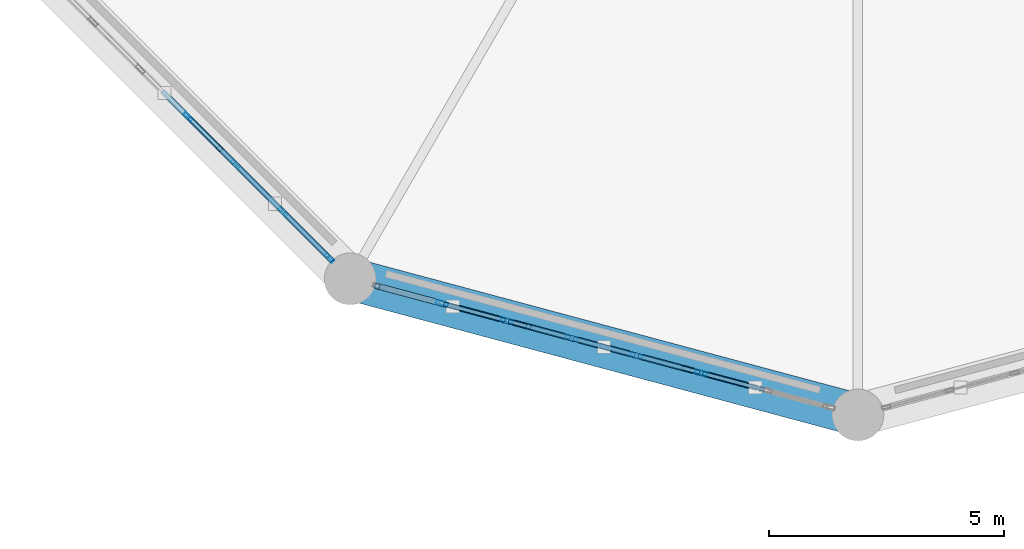
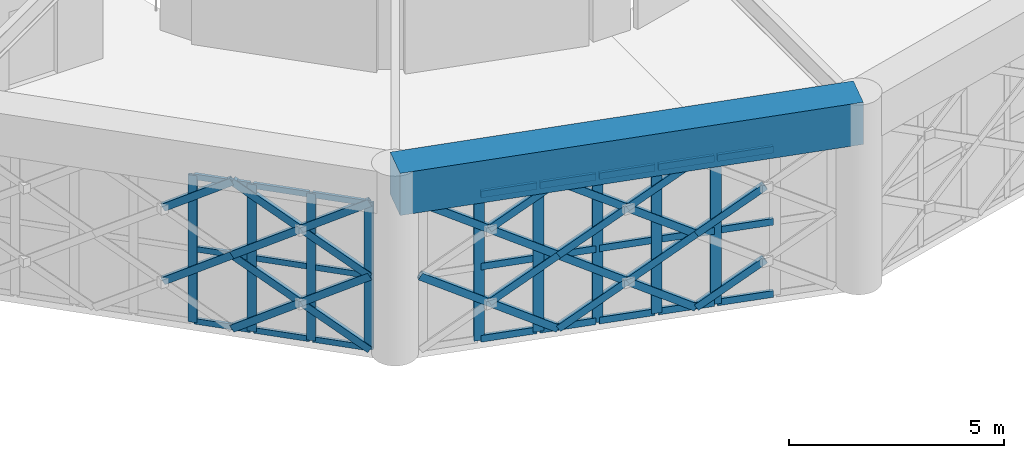
# One storey, part 20 of 72: 53 members, 1 beam, 2 elements without a shape of their own.
"""IFC4 building model written with IfcOpenShell, lengths in metres."""

from ifc_helpers import new_model, si_unit, direction, frame, origin, origin_2d, place, context, subcontext, project, spatial, rectangle, hollow_rectangle, extrude, material, material_profile, profile_set, type_object, element, aggregate, save


model = new_model("IFC4")

# Units and contexts
model_context = context("Model", 3, precision=1e-05, world=origin(), true_north=direction((0.0, 1.0)))
body_context = subcontext(model_context, "Body", "Model", "MODEL_VIEW")
ifc_project = project(units=[si_unit("LENGTHUNIT", "METRE"), si_unit("AREAUNIT", "SQUARE_METRE"), si_unit("VOLUMEUNIT", "CUBIC_METRE"), si_unit("PLANEANGLEUNIT", "RADIAN"), si_unit("MASSUNIT", "GRAM", prefix="KILO")], contexts=[model_context])

# Site, building, storey
site_placement = place(None, origin())
site = spatial("IfcSite", under=ifc_project, at=site_placement, CompositionType="ELEMENT")
building_placement = place(site_placement, origin())
building = spatial("IfcBuilding", under=site, at=building_placement, Name="Haizhuo Lancet Aquarium", CompositionType="ELEMENT")
storey_placement = place(building_placement, frame((0.0, 0.0, 21.60009765625)))
storey = spatial("IfcBuildingStorey", under=building, at=storey_placement, Name="L04", CompositionType="ELEMENT", Elevation=21.60009765625)

# Beam
ifc_material_1 = material(Name="Concrete C50/60", Category="concrete")
ifc_material_profile_1 = material_profile(ifc_material_1, rectangle(XDim=0.89990234375, YDim=1.199951171875, at=origin_2d()), Name="RC-RB 900x1200")
ifc_profile_set_1 = profile_set([ifc_material_profile_1], Name="Concrete C50/60")
beam_type = type_object("IfcBeamType", Name="BM-RB-900x1200", PredefinedType="USERDEFINED", material=ifc_profile_set_1)
beam_placement = place(storey_placement, frame((-10.800048828125, -18.7060546875, 4.7998046875), z_axis=(0.965921832664, -0.258833949056, 0.0), x_axis=(0.258833949056, 0.965921832664, 0.0)))
element("IfcBeam", 1, at=beam_placement, inside=storey, type_object=beam_type, Name="Ocean Hall dome tension ring beam RB-1 seg 9", ObjectType="RING BEAM", PredefinedType="USERDEFINED", context=body_context, shape_type="SweptSolid", body=[
    extrude(rectangle(XDim=0.89990234375, YDim=1.199951171875, at=origin_2d()), origin(), (0.0, 0.0, 1.0), 11.18115234375),
])

# Curtain wall, members
ifc_material_2 = material(Name="Aluminium 6063-T6", Category="aluminium")
curtain_wall_type = type_object("IfcCurtainWallType", Name="CWO-9990x4180", PredefinedType="NOTDEFINED", material=ifc_material_2)
curtain_wall_1_placement = place(storey_placement, origin())
curtain_wall_1 = element("IfcCurtainWall", 2, at=curtain_wall_1_placement, inside=storey, type_object=curtain_wall_type, Name="L04 curtain wall CW-V1-L04-08", PredefinedType="NOTDEFINED")
ifc_material_profile_2 = material_profile(ifc_material_2, hollow_rectangle(XDim=0.074951171875, YDim=0.219970703125, WallThickness=0.0048828125, at=origin_2d()), Name="ALU-M 75x220x5")
ifc_profile_set_2 = profile_set([ifc_material_profile_2], Name="Aluminium 6063-T6")
member_type_1 = type_object("IfcMemberType", Name="CW-MUL-2", PredefinedType="MULLION", material=ifc_profile_set_2)
member_1_placement = place(storey_placement, frame((-11.248046875, -18.258056640625, 0.0), z_axis=(0.0, 0.0, 1.0), x_axis=(-0.707106781187, -0.707106781187, 0.0)))
member_1 = element("IfcMember", 3, at=member_1_placement, type_object=member_type_1, Name="CWO-99x41 mullion 1", PredefinedType="MULLION", context=body_context, shape_type="SweptSolid", body=[
    extrude(hollow_rectangle(XDim=0.074951171875, YDim=0.219970703125, WallThickness=0.0048828125, at=origin_2d()), origin(), (0.0, 0.0, 1.0), 4.184814453125),
])
member_2_placement = place(storey_placement, frame((-12.22998046875, -17.27587890625, 0.0), z_axis=(0.0, 0.0, 1.0), x_axis=(-0.707106781187, -0.707106781187, 0.0)))
member_2 = element("IfcMember", 4, at=member_2_placement, type_object=member_type_1, Name="CWO-99x41 mullion 2", PredefinedType="MULLION", context=body_context, shape_type="SweptSolid", body=[
    extrude(hollow_rectangle(XDim=0.074951171875, YDim=0.219970703125, WallThickness=0.0048828125, at=origin_2d()), origin(), (0.0, 0.0, 1.0), 4.184814453125),
])
member_3_placement = place(storey_placement, frame((-13.239013671875, -16.26708984375, 0.0), z_axis=(0.0, 0.0, 1.0), x_axis=(-0.707106781187, -0.707106781187, 0.0)))
member_3 = element("IfcMember", 5, at=member_3_placement, type_object=member_type_1, Name="CWO-99x41 mullion 3", PredefinedType="MULLION", context=body_context, shape_type="SweptSolid", body=[
    extrude(hollow_rectangle(XDim=0.074951171875, YDim=0.219970703125, WallThickness=0.0048828125, at=origin_2d()), origin(), (0.0, 0.0, 1.0), 4.184814453125),
])
member_4_placement = place(storey_placement, frame((-14.248046875, -15.258056640625, 0.0), z_axis=(0.0, 0.0, 1.0), x_axis=(-0.707106781187, -0.707106781187, 0.0)))
member_4 = element("IfcMember", 6, at=member_4_placement, type_object=member_type_1, Name="CWO-99x41 mullion 4", PredefinedType="MULLION", context=body_context, shape_type="SweptSolid", body=[
    extrude(hollow_rectangle(XDim=0.074951171875, YDim=0.219970703125, WallThickness=0.0048828125, at=origin_2d()), origin(), (0.0, 0.0, 1.0), 4.184814453125),
])

curtain_wall_2_placement = place(storey_placement, origin())
curtain_wall_2 = element("IfcCurtainWall", 7, at=curtain_wall_2_placement, inside=storey, type_object=curtain_wall_type, Name="L04 curtain wall CW-V1-L04-09", PredefinedType="NOTDEFINED")
ifc_material_profile_3 = material_profile(ifc_material_2, hollow_rectangle(XDim=0.080078125, YDim=0.260009765625, WallThickness=0.0048828125, at=origin_2d()), Name="ALU-M 80x260x5")
ifc_profile_set_3 = profile_set([ifc_material_profile_3], Name="Aluminium 6063-T6")
member_type_2 = type_object("IfcMemberType", Name="CW-MUL-3", PredefinedType="MULLION", material=ifc_profile_set_3)
member_5_placement = place(storey_placement, frame((-3.33203125, -20.70703125, 0.0), z_axis=(0.0, 0.0, 1.0), x_axis=(-0.258852762117, -0.965916791212, 0.0)))
member_5 = element("IfcMember", 8, at=member_5_placement, type_object=member_type_2, Name="CWO-99x41 mullion 3", PredefinedType="MULLION", context=body_context, shape_type="SweptSolid", body=[
    extrude(hollow_rectangle(XDim=0.080078125, YDim=0.260009765625, WallThickness=0.0048828125, at=origin_2d()), origin(), (0.0, 0.0, 1.0), 4.184814453125),
])
member_6_placement = place(storey_placement, frame((-4.7109375, -20.337890625, 0.0), z_axis=(0.0, 0.0, 1.0), x_axis=(-0.258852762117, -0.965916791212, 0.0)))
member_6 = element("IfcMember", 9, at=member_6_placement, type_object=member_type_2, Name="CWO-99x41 mullion 4", PredefinedType="MULLION", context=body_context, shape_type="SweptSolid", body=[
    extrude(hollow_rectangle(XDim=0.080078125, YDim=0.260009765625, WallThickness=0.0048828125, at=origin_2d()), origin(), (0.0, 0.0, 1.0), 4.184814453125),
])
member_7_placement = place(storey_placement, frame((-6.089111328125, -19.968017578125, 0.0), z_axis=(0.0, 0.0, 1.0), x_axis=(-0.258852762117, -0.965916791212, 0.0)))
member_7 = element("IfcMember", 10, at=member_7_placement, type_object=member_type_2, Name="CWO-99x41 mullion 5", PredefinedType="MULLION", context=body_context, shape_type="SweptSolid", body=[
    extrude(hollow_rectangle(XDim=0.080078125, YDim=0.260009765625, WallThickness=0.0048828125, at=origin_2d()), origin(), (0.0, 0.0, 1.0), 4.184814453125),
])
member_8_placement = place(storey_placement, frame((-7.468017578125, -19.59912109375, 0.0), z_axis=(0.0, 0.0, 1.0), x_axis=(-0.258852762117, -0.965916791212, 0.0)))
member_8 = element("IfcMember", 11, at=member_8_placement, type_object=member_type_2, Name="CWO-99x41 mullion 6", PredefinedType="MULLION", context=body_context, shape_type="SweptSolid", body=[
    extrude(hollow_rectangle(XDim=0.080078125, YDim=0.260009765625, WallThickness=0.0048828125, at=origin_2d()), origin(), (0.0, 0.0, 1.0), 4.184814453125),
])
member_9_placement = place(storey_placement, frame((-8.845947265625, -19.22900390625, 0.0), z_axis=(0.0, 0.0, 1.0), x_axis=(-0.258852762117, -0.965916791212, 0.0)))
member_9 = element("IfcMember", 12, at=member_9_placement, type_object=member_type_2, Name="CWO-99x41 mullion 7", PredefinedType="MULLION", context=body_context, shape_type="SweptSolid", body=[
    extrude(hollow_rectangle(XDim=0.080078125, YDim=0.260009765625, WallThickness=0.0048828125, at=origin_2d()), origin(), (0.0, 0.0, 1.0), 4.184814453125),
])

# Member
ifc_material_profile_4 = material_profile(ifc_material_2, hollow_rectangle(XDim=0.074951171875, YDim=0.159912109375, WallThickness=0.00390625, at=origin_2d()), Name="ALU-T 75x160x4")
ifc_profile_set_4 = profile_set([ifc_material_profile_4], Name="Aluminium 6063-T6")
member_type_3 = type_object("IfcMemberType", Name="CW-TRN-2", PredefinedType="NOTDEFINED", material=ifc_profile_set_4)
member_10_placement = place(storey_placement, frame((-11.27392578125, -18.23193359375, 0.037841796875), z_axis=(-0.70719958344, 0.707013966752, 0.0), x_axis=(-0.707013966752, -0.70719958344, 0.0)))
member_10 = element("IfcMember", 13, at=member_10_placement, type_object=member_type_3, Name="CWO-99x41 transom 1.1", ObjectType="TRANSOM", PredefinedType="USERDEFINED", context=body_context, shape_type="SweptSolid", body=[
    extrude(hollow_rectangle(XDim=0.074951171875, YDim=0.159912109375, WallThickness=0.00390625, at=origin_2d()), origin(), (0.0, 0.0, 1.0), 1.315185546875),
])

member_11_placement = place(storey_placement, frame((-11.27392578125, -18.23193359375, 2.093017578125), z_axis=(-0.70719958344, 0.707013966752, 0.0), x_axis=(-0.707013966752, -0.70719958344, 0.0)))
member_11 = element("IfcMember", 14, at=member_11_placement, type_object=member_type_3, Name="CWO-99x41 transom 1.2", ObjectType="TRANSOM", PredefinedType="USERDEFINED", context=body_context, shape_type="SweptSolid", body=[
    extrude(hollow_rectangle(XDim=0.074951171875, YDim=0.159912109375, WallThickness=0.00390625, at=origin_2d()), origin(), (0.0, 0.0, 1.0), 1.315185546875),
])

member_12_placement = place(storey_placement, frame((-11.27392578125, -18.23193359375, 4.14697265625), z_axis=(-0.70719958344, 0.707013966752, 0.0), x_axis=(-0.707013966752, -0.70719958344, 0.0)))
member_12 = element("IfcMember", 15, at=member_12_placement, type_object=member_type_3, Name="CWO-99x41 transom 1.3", ObjectType="TRANSOM", PredefinedType="USERDEFINED", context=body_context, shape_type="SweptSolid", body=[
    extrude(hollow_rectangle(XDim=0.074951171875, YDim=0.159912109375, WallThickness=0.00390625, at=origin_2d()), origin(), (0.0, 0.0, 1.0), 1.315185546875),
])

member_13_placement = place(storey_placement, frame((-12.257080078125, -17.2490234375, 0.037841796875), z_axis=(-0.707016479575, 0.707197071268, 0.0), x_axis=(-0.707197071268, -0.707016479575, 0.0)))
member_13 = element("IfcMember", 16, at=member_13_placement, type_object=member_type_3, Name="CWO-99x41 transom 2.1", ObjectType="TRANSOM", PredefinedType="USERDEFINED", context=body_context, shape_type="SweptSolid", body=[
    extrude(hollow_rectangle(XDim=0.074951171875, YDim=0.159912109375, WallThickness=0.00390625, at=origin_2d()), origin(), (0.0, 0.0, 1.0), 1.351806640625),
])

member_14_placement = place(storey_placement, frame((-12.257080078125, -17.2490234375, 2.093017578125), z_axis=(-0.707016479575, 0.707197071268, 0.0), x_axis=(-0.707197071268, -0.707016479575, 0.0)))
member_14 = element("IfcMember", 17, at=member_14_placement, type_object=member_type_3, Name="CWO-99x41 transom 2.2", ObjectType="TRANSOM", PredefinedType="USERDEFINED", context=body_context, shape_type="SweptSolid", body=[
    extrude(hollow_rectangle(XDim=0.074951171875, YDim=0.159912109375, WallThickness=0.00390625, at=origin_2d()), origin(), (0.0, 0.0, 1.0), 1.351806640625),
])

member_15_placement = place(storey_placement, frame((-12.257080078125, -17.2490234375, 4.14697265625), z_axis=(-0.707016479575, 0.707197071268, 0.0), x_axis=(-0.707197071268, -0.707016479575, 0.0)))
member_15 = element("IfcMember", 18, at=member_15_placement, type_object=member_type_3, Name="CWO-99x41 transom 2.3", ObjectType="TRANSOM", PredefinedType="USERDEFINED", context=body_context, shape_type="SweptSolid", body=[
    extrude(hollow_rectangle(XDim=0.074951171875, YDim=0.159912109375, WallThickness=0.00390625, at=origin_2d()), origin(), (0.0, 0.0, 1.0), 1.351806640625),
])

member_16_placement = place(storey_placement, frame((-13.26611328125, -16.239990234375, 0.037841796875), z_axis=(-0.707016479575, 0.707197071268, 0.0), x_axis=(-0.707197071268, -0.707016479575, 0.0)))
member_16 = element("IfcMember", 19, at=member_16_placement, type_object=member_type_3, Name="CWO-99x41 transom 3.1", ObjectType="TRANSOM", PredefinedType="USERDEFINED", context=body_context, shape_type="SweptSolid", body=[
    extrude(hollow_rectangle(XDim=0.074951171875, YDim=0.159912109375, WallThickness=0.00390625, at=origin_2d()), origin(), (0.0, 0.0, 1.0), 1.351806640625),
])

member_17_placement = place(storey_placement, frame((-13.26611328125, -16.239990234375, 2.093017578125), z_axis=(-0.707016479575, 0.707197071268, 0.0), x_axis=(-0.707197071268, -0.707016479575, 0.0)))
member_17 = element("IfcMember", 20, at=member_17_placement, type_object=member_type_3, Name="CWO-99x41 transom 3.2", ObjectType="TRANSOM", PredefinedType="USERDEFINED", context=body_context, shape_type="SweptSolid", body=[
    extrude(hollow_rectangle(XDim=0.074951171875, YDim=0.159912109375, WallThickness=0.00390625, at=origin_2d()), origin(), (0.0, 0.0, 1.0), 1.351806640625),
])

member_18_placement = place(storey_placement, frame((-13.26611328125, -16.239990234375, 4.14697265625), z_axis=(-0.707016479575, 0.707197071268, 0.0), x_axis=(-0.707197071268, -0.707016479575, 0.0)))
member_18 = element("IfcMember", 21, at=member_18_placement, type_object=member_type_3, Name="CWO-99x41 transom 3.3", ObjectType="TRANSOM", PredefinedType="USERDEFINED", context=body_context, shape_type="SweptSolid", body=[
    extrude(hollow_rectangle(XDim=0.074951171875, YDim=0.159912109375, WallThickness=0.00390625, at=origin_2d()), origin(), (0.0, 0.0, 1.0), 1.351806640625),
])

aggregate(curtain_wall_1, [member_1, member_2, member_3, member_4, member_10, member_11, member_12, member_13, member_14, member_15, member_16, member_17, member_18])

ifc_material_profile_5 = material_profile(ifc_material_2, hollow_rectangle(XDim=0.080078125, YDim=0.18994140625, WallThickness=0.0048828125, at=origin_2d()), Name="ALU-T 80x190x5")
ifc_profile_set_5 = profile_set([ifc_material_profile_5], Name="Aluminium 6063-T6")
member_type_4 = type_object("IfcMemberType", Name="CW-TRN-3", PredefinedType="NOTDEFINED", material=ifc_profile_set_5)
member_19_placement = place(storey_placement, frame((-1.991943359375, -21.06591796875, 0.039794921875), z_axis=(-0.965924605661, 0.258823600504, 0.0), x_axis=(-0.258823600504, -0.965924605661, 0.0)))
member_19 = element("IfcMember", 22, at=member_19_placement, type_object=member_type_4, Name="CWO-99x41 transom 2.1", ObjectType="TRANSOM", PredefinedType="USERDEFINED", context=body_context, shape_type="SweptSolid", body=[
    extrude(hollow_rectangle(XDim=0.080078125, YDim=0.18994140625, WallThickness=0.0048828125, at=origin_2d()), origin(), (0.0, 0.0, 1.0), 1.347900390625),
])

member_20_placement = place(storey_placement, frame((-1.991943359375, -21.06591796875, 2.093017578125), z_axis=(-0.965924605661, 0.258823600504, 0.0), x_axis=(-0.258823600504, -0.965924605661, 0.0)))
member_20 = element("IfcMember", 23, at=member_20_placement, type_object=member_type_4, Name="CWO-99x41 transom 2.2", ObjectType="TRANSOM", PredefinedType="USERDEFINED", context=body_context, shape_type="SweptSolid", body=[
    extrude(hollow_rectangle(XDim=0.080078125, YDim=0.18994140625, WallThickness=0.0048828125, at=origin_2d()), origin(), (0.0, 0.0, 1.0), 1.347900390625),
])

member_21_placement = place(storey_placement, frame((-1.991943359375, -21.06591796875, 4.14501953125), z_axis=(-0.965924605661, 0.258823600504, 0.0), x_axis=(-0.258823600504, -0.965924605661, 0.0)))
member_21 = element("IfcMember", 24, at=member_21_placement, type_object=member_type_4, Name="CWO-99x41 transom 2.3", ObjectType="TRANSOM", PredefinedType="USERDEFINED", context=body_context, shape_type="SweptSolid", body=[
    extrude(hollow_rectangle(XDim=0.080078125, YDim=0.18994140625, WallThickness=0.0048828125, at=origin_2d()), origin(), (0.0, 0.0, 1.0), 1.347900390625),
])

member_22_placement = place(storey_placement, frame((-3.37109375, -20.697021484375, 0.039794921875), z_axis=(-0.965830666302, 0.259173926217, 0.0), x_axis=(-0.259173926217, -0.965830666302, 0.0)))
member_22 = element("IfcMember", 25, at=member_22_placement, type_object=member_type_4, Name="CWO-99x41 transom 3.1", ObjectType="TRANSOM", PredefinedType="USERDEFINED", context=body_context, shape_type="SweptSolid", body=[
    extrude(hollow_rectangle(XDim=0.080078125, YDim=0.18994140625, WallThickness=0.0048828125, at=origin_2d()), origin(), (0.0, 0.0, 1.0), 1.34716796875),
])

member_23_placement = place(storey_placement, frame((-3.37109375, -20.697021484375, 2.093017578125), z_axis=(-0.965830666302, 0.259173926217, 0.0), x_axis=(-0.259173926217, -0.965830666302, 0.0)))
member_23 = element("IfcMember", 26, at=member_23_placement, type_object=member_type_4, Name="CWO-99x41 transom 3.2", ObjectType="TRANSOM", PredefinedType="USERDEFINED", context=body_context, shape_type="SweptSolid", body=[
    extrude(hollow_rectangle(XDim=0.080078125, YDim=0.18994140625, WallThickness=0.0048828125, at=origin_2d()), origin(), (0.0, 0.0, 1.0), 1.34716796875),
])

member_24_placement = place(storey_placement, frame((-3.37109375, -20.697021484375, 4.14501953125), z_axis=(-0.965830666302, 0.259173926217, 0.0), x_axis=(-0.259173926217, -0.965830666302, 0.0)))
member_24 = element("IfcMember", 27, at=member_24_placement, type_object=member_type_4, Name="CWO-99x41 transom 3.3", ObjectType="TRANSOM", PredefinedType="USERDEFINED", context=body_context, shape_type="SweptSolid", body=[
    extrude(hollow_rectangle(XDim=0.080078125, YDim=0.18994140625, WallThickness=0.0048828125, at=origin_2d()), origin(), (0.0, 0.0, 1.0), 1.34716796875),
])

member_25_placement = place(storey_placement, frame((-4.7490234375, -20.326904296875, 0.039794921875), z_axis=(-0.966105528124, 0.258147455011, 0.0), x_axis=(-0.258147455011, -0.966105528124, 0.0)))
member_25 = element("IfcMember", 28, at=member_25_placement, type_object=member_type_4, Name="CWO-99x41 transom 4.1", ObjectType="TRANSOM", PredefinedType="USERDEFINED", context=body_context, shape_type="SweptSolid", body=[
    extrude(hollow_rectangle(XDim=0.080078125, YDim=0.18994140625, WallThickness=0.0048828125, at=origin_2d()), origin(), (0.0, 0.0, 1.0), 1.34765625),
])

member_26_placement = place(storey_placement, frame((-4.7490234375, -20.326904296875, 2.093017578125), z_axis=(-0.966105528124, 0.258147455011, 0.0), x_axis=(-0.258147455011, -0.966105528124, 0.0)))
member_26 = element("IfcMember", 29, at=member_26_placement, type_object=member_type_4, Name="CWO-99x41 transom 4.2", ObjectType="TRANSOM", PredefinedType="USERDEFINED", context=body_context, shape_type="SweptSolid", body=[
    extrude(hollow_rectangle(XDim=0.080078125, YDim=0.18994140625, WallThickness=0.0048828125, at=origin_2d()), origin(), (0.0, 0.0, 1.0), 1.34765625),
])

member_27_placement = place(storey_placement, frame((-4.7490234375, -20.326904296875, 4.14501953125), z_axis=(-0.966105528124, 0.258147455011, 0.0), x_axis=(-0.258147455011, -0.966105528124, 0.0)))
member_27 = element("IfcMember", 30, at=member_27_placement, type_object=member_type_4, Name="CWO-99x41 transom 4.3", ObjectType="TRANSOM", PredefinedType="USERDEFINED", context=body_context, shape_type="SweptSolid", body=[
    extrude(hollow_rectangle(XDim=0.080078125, YDim=0.18994140625, WallThickness=0.0048828125, at=origin_2d()), origin(), (0.0, 0.0, 1.0), 1.34765625),
])

member_28_placement = place(storey_placement, frame((-6.1279296875, -19.9580078125, 0.039794921875), z_axis=(-0.965830666302, 0.259173926217, 0.0), x_axis=(-0.259173926217, -0.965830666302, 0.0)))
member_28 = element("IfcMember", 31, at=member_28_placement, type_object=member_type_4, Name="CWO-99x41 transom 5.1", ObjectType="TRANSOM", PredefinedType="USERDEFINED", context=body_context, shape_type="SweptSolid", body=[
    extrude(hollow_rectangle(XDim=0.080078125, YDim=0.18994140625, WallThickness=0.0048828125, at=origin_2d()), origin(), (0.0, 0.0, 1.0), 1.34716796875),
])

member_29_placement = place(storey_placement, frame((-6.1279296875, -19.9580078125, 2.093017578125), z_axis=(-0.965830666302, 0.259173926217, 0.0), x_axis=(-0.259173926217, -0.965830666302, 0.0)))
member_29 = element("IfcMember", 32, at=member_29_placement, type_object=member_type_4, Name="CWO-99x41 transom 5.2", ObjectType="TRANSOM", PredefinedType="USERDEFINED", context=body_context, shape_type="SweptSolid", body=[
    extrude(hollow_rectangle(XDim=0.080078125, YDim=0.18994140625, WallThickness=0.0048828125, at=origin_2d()), origin(), (0.0, 0.0, 1.0), 1.34716796875),
])

member_30_placement = place(storey_placement, frame((-6.1279296875, -19.9580078125, 4.14501953125), z_axis=(-0.965830666302, 0.259173926217, 0.0), x_axis=(-0.259173926217, -0.965830666302, 0.0)))
member_30 = element("IfcMember", 33, at=member_30_placement, type_object=member_type_4, Name="CWO-99x41 transom 5.3", ObjectType="TRANSOM", PredefinedType="USERDEFINED", context=body_context, shape_type="SweptSolid", body=[
    extrude(hollow_rectangle(XDim=0.080078125, YDim=0.18994140625, WallThickness=0.0048828125, at=origin_2d()), origin(), (0.0, 0.0, 1.0), 1.34716796875),
])

member_31_placement = place(storey_placement, frame((-7.506103515625, -19.589111328125, 0.039794921875), z_axis=(-0.965879311718, 0.25899257749, 0.0), x_axis=(-0.25899257749, -0.965879311718, 0.0)))
member_31 = element("IfcMember", 34, at=member_31_placement, type_object=member_type_4, Name="CWO-99x41 transom 6.1", ObjectType="TRANSOM", PredefinedType="USERDEFINED", context=body_context, shape_type="SweptSolid", body=[
    extrude(hollow_rectangle(XDim=0.080078125, YDim=0.18994140625, WallThickness=0.0048828125, at=origin_2d()), origin(), (0.0, 0.0, 1.0), 1.347900390625),
])

member_32_placement = place(storey_placement, frame((-7.506103515625, -19.589111328125, 2.093017578125), z_axis=(-0.965879311718, 0.25899257749, 0.0), x_axis=(-0.25899257749, -0.965879311718, 0.0)))
member_32 = element("IfcMember", 35, at=member_32_placement, type_object=member_type_4, Name="CWO-99x41 transom 6.2", ObjectType="TRANSOM", PredefinedType="USERDEFINED", context=body_context, shape_type="SweptSolid", body=[
    extrude(hollow_rectangle(XDim=0.080078125, YDim=0.18994140625, WallThickness=0.0048828125, at=origin_2d()), origin(), (0.0, 0.0, 1.0), 1.347900390625),
])

member_33_placement = place(storey_placement, frame((-7.506103515625, -19.589111328125, 4.14501953125), z_axis=(-0.965879311718, 0.25899257749, 0.0), x_axis=(-0.25899257749, -0.965879311718, 0.0)))
member_33 = element("IfcMember", 36, at=member_33_placement, type_object=member_type_4, Name="CWO-99x41 transom 6.3", ObjectType="TRANSOM", PredefinedType="USERDEFINED", context=body_context, shape_type="SweptSolid", body=[
    extrude(hollow_rectangle(XDim=0.080078125, YDim=0.18994140625, WallThickness=0.0048828125, at=origin_2d()), origin(), (0.0, 0.0, 1.0), 1.347900390625),
])

aggregate(curtain_wall_2, [member_5, member_6, member_7, member_8, member_9, member_19, member_20, member_21, member_22, member_23, member_24, member_25, member_26, member_27, member_28, member_29, member_30, member_31, member_32, member_33])

# Members
ifc_material_3 = material(Name="Steel S355", Category="steel")
ifc_material_profile_6 = material_profile(ifc_material_3, hollow_rectangle(XDim=0.1201171875, YDim=0.199951171875, WallThickness=0.008056640625, at=origin_2d()), Name="RHS 120x200x8")
ifc_profile_set_6 = profile_set([ifc_material_profile_6], Name="Steel S355")
member_type_5 = type_object("IfcMemberType", Name="MEM-LB-RHS120x200", PredefinedType="BRACE", material=ifc_profile_set_6)
member_34_placement = place(storey_placement, frame((-11.220947265625, -18.284912109375, 0.0), z_axis=(-0.598695261039, 0.598695261039, 0.532097706084), x_axis=(-0.707106781187, -0.707106781187, 0.0)))
element("IfcMember", 37, at=member_34_placement, inside=storey, type_object=member_type_5, Name="Gothic lancet continuous diagonal brace CW-V1-L04-08 1A", PredefinedType="BRACE", context=body_context, shape_type="SweptSolid", body=[
    extrude(hollow_rectangle(XDim=0.1201171875, YDim=0.199951171875, WallThickness=0.008056640625, at=origin_2d()), origin(), (0.0, 0.0, 1.0), 3.93359375),
])
member_35_placement = place(storey_placement, frame((-13.575927734375, -15.929931640625, 0.0), z_axis=(0.598387663747, -0.598884148015, 0.532231135065), x_axis=(0.707399943164, 0.706813497615, 0.0)))
element("IfcMember", 38, at=member_35_placement, inside=storey, type_object=member_type_5, Name="Gothic lancet split diagonal brace CW-V1-L04-08 1B1", PredefinedType="BRACE", context=body_context, shape_type="SweptSolid", body=[
    extrude(hollow_rectangle(XDim=0.1201171875, YDim=0.199951171875, WallThickness=0.008056640625, at=origin_2d()), origin(), (0.0, 0.0, 1.0), 1.967041015625),
])
member_36_placement = place(storey_placement, frame((-12.39892578125, -17.10791015625, 1.046875), z_axis=(0.599002830596, -0.598506247939, 0.531964171835), x_axis=(0.706813497615, 0.707399943164, 0.0)))
element("IfcMember", 39, at=member_36_placement, inside=storey, type_object=member_type_5, Name="Gothic lancet split diagonal brace CW-V1-L04-08 1B2", PredefinedType="BRACE", context=body_context, shape_type="SweptSolid", body=[
    extrude(hollow_rectangle(XDim=0.1201171875, YDim=0.199951171875, WallThickness=0.008056640625, at=origin_2d()), origin(), (0.0, 0.0, 1.0), 1.966552734375),
])
member_37_placement = place(storey_placement, frame((-11.220947265625, -18.284912109375, 2.093017578125), z_axis=(-0.598794117865, 0.598794117865, 0.531875181616), x_axis=(-0.707106781187, -0.707106781187, 0.0)))
element("IfcMember", 40, at=member_37_placement, inside=storey, type_object=member_type_5, Name="Gothic lancet continuous diagonal brace CW-V1-L04-08 2A", PredefinedType="BRACE", context=body_context, shape_type="SweptSolid", body=[
    extrude(hollow_rectangle(XDim=0.1201171875, YDim=0.199951171875, WallThickness=0.008056640625, at=origin_2d()), origin(), (0.0, 0.0, 1.0), 3.932861328125),
])
for number, where, z_axis, x_axis, name in (
    (41, (-13.575927734375, -15.929931640625, 2.093017578125), (0.59854577322, -0.599042388672, 0.531875148823), (0.707399943164, 0.706813497615, 0.0), "Gothic lancet split diagonal brace CW-V1-L04-08 2B1"),
    (42, (-12.39892578125, -17.10791015625, 3.138916015625), (0.599042388672, -0.59854577322, 0.531875148823), (0.706813497615, 0.707399943164, 0.0), "Gothic lancet split diagonal brace CW-V1-L04-08 2B2"),
):
    element("IfcMember", number, at=place(storey_placement, frame(where, z_axis=z_axis, x_axis=x_axis)), inside=storey, type_object=member_type_5, Name=name, PredefinedType="BRACE", context=body_context, shape_type="SweptSolid", body=[
        extrude(hollow_rectangle(XDim=0.1201171875, YDim=0.199951171875, WallThickness=0.008056640625, at=origin_2d()), origin(), (0.0, 0.0, 1.0), 1.966552734375),
    ])
member_38_placement = place(storey_placement, frame((-14.7529296875, -14.7529296875, 1.046875), z_axis=(0.598684281878, -0.598684281878, 0.532122411916), x_axis=(0.707106781187, 0.707106781187, 0.0)))
element("IfcMember", 43, at=member_38_placement, inside=storey, type_object=member_type_5, Name="Gothic lancet split diagonal brace CW-V1-L04-08 3B2", PredefinedType="BRACE", context=body_context, shape_type="SweptSolid", body=[
    extrude(hollow_rectangle(XDim=0.1201171875, YDim=0.199951171875, WallThickness=0.008056640625, at=origin_2d()), origin(), (0.0, 0.0, 1.0), 1.966064453125),
])
member_39_placement = place(storey_placement, frame((-14.7529296875, -14.7529296875, 3.138916015625), z_axis=(0.598723842444, -0.598723842444, 0.53203338333), x_axis=(0.707106781187, 0.707106781187, 0.0)))
element("IfcMember", 44, at=member_39_placement, inside=storey, type_object=member_type_5, Name="Gothic lancet split diagonal brace CW-V1-L04-08 4B2", PredefinedType="BRACE", context=body_context, shape_type="SweptSolid", body=[
    extrude(hollow_rectangle(XDim=0.1201171875, YDim=0.199951171875, WallThickness=0.008056640625, at=origin_2d()), origin(), (0.0, 0.0, 1.0), 1.9658203125),
])
member_40_placement = place(storey_placement, frame((-3.7919921875, -20.583984375, 0.0), z_axis=(0.817827695142, -0.21903882882, 0.53214645778), x_axis=(0.258711662602, 0.965954592946, 0.0)))
element("IfcMember", 45, at=member_40_placement, inside=storey, type_object=member_type_5, Name="Gothic lancet split diagonal brace CW-V1-L04-09 1B1", PredefinedType="BRACE", context=body_context, shape_type="SweptSolid", body=[
    extrude(hollow_rectangle(XDim=0.1201171875, YDim=0.199951171875, WallThickness=0.008056640625, at=origin_2d()), origin(), (0.0, 0.0, 1.0), 1.96728515625),
])
member_41_placement = place(storey_placement, frame((-3.7919921875, -20.583984375, 2.093017578125), z_axis=(0.818043717557, -0.219096686113, 0.531790483462), x_axis=(0.258711662602, 0.965954592946, 0.0)))
element("IfcMember", 46, at=member_41_placement, inside=storey, type_object=member_type_5, Name="Gothic lancet split diagonal brace CW-V1-L04-09 2B1", PredefinedType="BRACE", context=body_context, shape_type="SweptSolid", body=[
    extrude(hollow_rectangle(XDim=0.1201171875, YDim=0.199951171875, WallThickness=0.008056640625, at=origin_2d()), origin(), (0.0, 0.0, 1.0), 1.966796875),
])
member_42_placement = place(storey_placement, frame((-3.7919921875, -20.583984375, 0.0), z_axis=(-0.817753707708, 0.219197475284, 0.532194833081), x_axis=(-0.258908342106, -0.965901894805, 0.0)))
element("IfcMember", 47, at=member_42_placement, inside=storey, type_object=member_type_5, Name="Gothic lancet continuous diagonal brace CW-V1-L04-09 3A", PredefinedType="BRACE", context=body_context, shape_type="SweptSolid", body=[
    extrude(hollow_rectangle(XDim=0.1201171875, YDim=0.199951171875, WallThickness=0.008056640625, at=origin_2d()), origin(), (0.0, 0.0, 1.0), 3.932861328125),
])
member_43_placement = place(storey_placement, frame((-7.008056640625, -19.721923828125, 0.0), z_axis=(0.817682100833, -0.219223711867, 0.532294041046), x_axis=(0.258958409476, 0.965888472942, 0.0)))
element("IfcMember", 48, at=member_43_placement, inside=storey, type_object=member_type_5, Name="Gothic lancet split diagonal brace CW-V1-L04-09 3B1", PredefinedType="BRACE", context=body_context, shape_type="SweptSolid", body=[
    extrude(hollow_rectangle(XDim=0.1201171875, YDim=0.199951171875, WallThickness=0.008056640625, at=origin_2d()), origin(), (0.0, 0.0, 1.0), 1.966796875),
])
member_44_placement = place(storey_placement, frame((-5.39990234375, -20.153076171875, 1.046875), z_axis=(0.81782532519, -0.219171226687, 0.532095584336), x_axis=(0.258858265046, 0.965915316483, 0.0)))
element("IfcMember", 49, at=member_44_placement, inside=storey, type_object=member_type_5, Name="Gothic lancet split diagonal brace CW-V1-L04-09 3B2", PredefinedType="BRACE", context=body_context, shape_type="SweptSolid", body=[
    extrude(hollow_rectangle(XDim=0.1201171875, YDim=0.199951171875, WallThickness=0.008056640625, at=origin_2d()), origin(), (0.0, 0.0, 1.0), 1.966064453125),
])
member_45_placement = place(storey_placement, frame((-3.7919921875, -20.583984375, 2.093017578125), z_axis=(-0.817888784874, 0.219233682486, 0.531972300069), x_axis=(-0.258908342106, -0.965901894805, 0.0)))
element("IfcMember", 50, at=member_45_placement, inside=storey, type_object=member_type_5, Name="Gothic lancet continuous diagonal brace CW-V1-L04-09 4A", PredefinedType="BRACE", context=body_context, shape_type="SweptSolid", body=[
    extrude(hollow_rectangle(XDim=0.1201171875, YDim=0.199951171875, WallThickness=0.008056640625, at=origin_2d()), origin(), (0.0, 0.0, 1.0), 3.93212890625),
])
member_46_placement = place(storey_placement, frame((-7.008056640625, -19.721923828125, 2.093017578125), z_axis=(0.817898204654, -0.219281650132, 0.53193804596), x_axis=(0.258958409476, 0.965888472942, 0.0)))
element("IfcMember", 51, at=member_46_placement, inside=storey, type_object=member_type_5, Name="Gothic lancet split diagonal brace CW-V1-L04-09 4B1", PredefinedType="BRACE", context=body_context, shape_type="SweptSolid", body=[
    extrude(hollow_rectangle(XDim=0.1201171875, YDim=0.199951171875, WallThickness=0.008056640625, at=origin_2d()), origin(), (0.0, 0.0, 1.0), 1.96630859375),
])
member_47_placement = place(storey_placement, frame((-5.39990234375, -20.153076171875, 3.138916015625), z_axis=(0.817879360967, -0.219185707881, 0.532006556693), x_axis=(0.258858265046, 0.965915316483, 0.0)))
element("IfcMember", 52, at=member_47_placement, inside=storey, type_object=member_type_5, Name="Gothic lancet split diagonal brace CW-V1-L04-09 4B2", PredefinedType="BRACE", context=body_context, shape_type="SweptSolid", body=[
    extrude(hollow_rectangle(XDim=0.1201171875, YDim=0.199951171875, WallThickness=0.008056640625, at=origin_2d()), origin(), (0.0, 0.0, 1.0), 1.966064453125),
])
member_48_placement = place(storey_placement, frame((-7.008056640625, -19.721923828125, 0.0), z_axis=(-0.817847065908, 0.219093886519, 0.532094019582), x_axis=(-0.258766619754, -0.965939872094, 0.0)))
element("IfcMember", 53, at=member_48_placement, inside=storey, type_object=member_type_5, Name="Gothic lancet continuous diagonal brace CW-V1-L04-09 5A", PredefinedType="BRACE", context=body_context, shape_type="SweptSolid", body=[
    extrude(hollow_rectangle(XDim=0.1201171875, YDim=0.199951171875, WallThickness=0.008056640625, at=origin_2d()), origin(), (0.0, 0.0, 1.0), 3.93359375),
])
member_49_placement = place(storey_placement, frame((-8.616943359375, -19.291015625, 1.046875), z_axis=(0.817989714809, -0.219082222555, 0.531879503484), x_axis=(0.258711662602, 0.965954592946, 0.0)))
element("IfcMember", 54, at=member_49_placement, inside=storey, type_object=member_type_5, Name="Gothic lancet split diagonal brace CW-V1-L04-09 5B2", PredefinedType="BRACE", context=body_context, shape_type="SweptSolid", body=[
    extrude(hollow_rectangle(XDim=0.1201171875, YDim=0.199951171875, WallThickness=0.008056640625, at=origin_2d()), origin(), (0.0, 0.0, 1.0), 1.966796875),
])
member_50_placement = place(storey_placement, frame((-7.008056640625, -19.721923828125, 2.093017578125), z_axis=(-0.817982107307, 0.219130062897, 0.531871495439), x_axis=(-0.258766619754, -0.965939872094, 0.0)))
element("IfcMember", 55, at=member_50_placement, inside=storey, type_object=member_type_5, Name="Gothic lancet continuous diagonal brace CW-V1-L04-09 6A", PredefinedType="BRACE", context=body_context, shape_type="SweptSolid", body=[
    extrude(hollow_rectangle(XDim=0.1201171875, YDim=0.199951171875, WallThickness=0.008056640625, at=origin_2d()), origin(), (0.0, 0.0, 1.0), 3.932861328125),
])
member_51_placement = place(storey_placement, frame((-8.616943359375, -19.291015625, 3.138916015625), z_axis=(0.818043717557, -0.219096686113, 0.531790483462), x_axis=(0.258711662602, 0.965954592946, 0.0)))
element("IfcMember", 56, at=member_51_placement, inside=storey, type_object=member_type_5, Name="Gothic lancet split diagonal brace CW-V1-L04-09 6B2", PredefinedType="BRACE", context=body_context, shape_type="SweptSolid", body=[
    extrude(hollow_rectangle(XDim=0.1201171875, YDim=0.199951171875, WallThickness=0.008056640625, at=origin_2d()), origin(), (0.0, 0.0, 1.0), 1.966796875),
])

save(model, "model.ifc")
